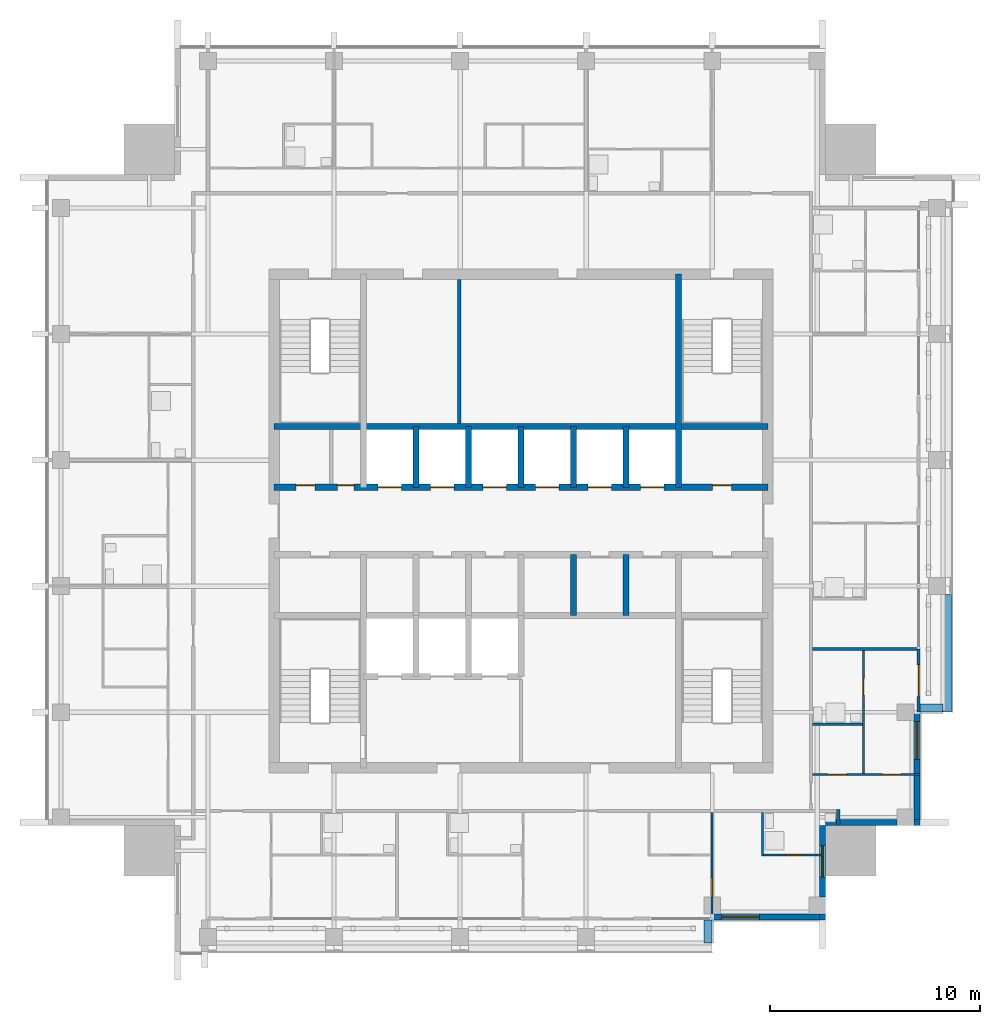
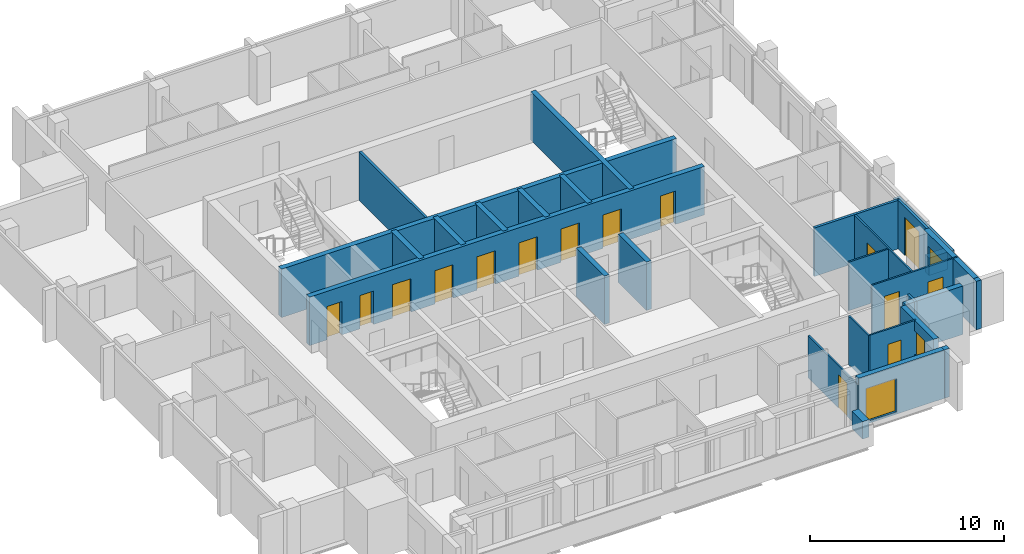
# One storey, part 9 of 15: 29 walls, 15 doors, 3 windows, 18 openings.
"""IFC4 building model written with IfcOpenShell, lengths in metres."""

from ifc_helpers import new_model, si_unit, direction, frame, frame_2d, origin, place, context, subcontext, project, spatial, rectangle, extrude, material, layer, layer_set, type_object, element, fill, save


model = new_model("IFC4")

# Units and contexts
model_context = context("Model", 3, precision=1e-05, world=origin(), true_north=direction((0.0, 1.0)))
body_context = subcontext(model_context, "Body", "Model", "MODEL_VIEW")
ifc_project = project(units=[si_unit("LENGTHUNIT", "METRE"), si_unit("AREAUNIT", "SQUARE_METRE"), si_unit("VOLUMEUNIT", "CUBIC_METRE"), si_unit("PLANEANGLEUNIT", "RADIAN"), si_unit("MASSUNIT", "GRAM", prefix="KILO")], contexts=[model_context])

# Site, building, storey
site_placement = place(None, origin())
site = spatial("IfcSite", under=ifc_project, at=site_placement, CompositionType="ELEMENT")
building_placement = place(site_placement, origin())
building = spatial("IfcBuilding", under=site, at=building_placement, Name="Amberfall Residences", CompositionType="ELEMENT")
storey_placement = place(building_placement, frame((0.0, 0.0, 268.60009765625)))
storey = spatial("IfcBuildingStorey", under=building, at=storey_placement, Name="L72", CompositionType="ELEMENT", Elevation=268.60009765625)

# Wall
ifc_material_1 = material(Name="Pale stone cladding on insulated backing", Category="masonry")
ifc_layer_1 = layer(ifc_material_1, 0.300048828125)
ifc_layer_set_1 = layer_set([ifc_layer_1], Name="Bronze clad wall 300")
wall_type_1 = type_object("IfcWallType", Name="Bronze clad wall 300", PredefinedType="SOLIDWALL", material=ifc_layer_set_1)
wall_1_placement = place(storey_placement, frame((88.85009765625, 26.5, 0.0), z_axis=(0.0, 0.0, 1.0), x_axis=(0.0, 1.0, 0.0)))
element("IfcWall", 1, at=wall_1_placement, inside=storey, type_object=wall_type_1, Name="External wall L72 SE", PredefinedType="SOLIDWALL", context=body_context, shape_type="SweptSolid", body=[
    extrude(rectangle(XDim=0.300048828125, YDim=0.300048828125, at=frame_2d((0.14990234375, 0.0))), origin(), (0.0, 0.0, 1.0), 3.0498046875),
])

# Wall, opening, window
wall_2_placement = place(storey_placement, frame((88.85009765625, 27.60009765625, 0.0), z_axis=(0.0, 0.0, 1.0), x_axis=(0.0, 1.0, 0.0)))
wall_2 = element("IfcWall", 2, at=wall_2_placement, inside=storey, type_object=wall_type_1, Name="External wall L72 SE", PredefinedType="SOLIDWALL", context=body_context, shape_type="SweptSolid", body=[
    extrude(rectangle(XDim=3.39990234375, YDim=0.300048828125, at=frame_2d((1.699951171875, 0.0))), origin(), (0.0, 0.0, 1.0), 3.0498046875),
])
opening_1_placement = place(wall_2_placement, frame((0.949951171875, 0.0, 0.89990234375)))
opening_1 = element("IfcOpeningElement", 3, at=opening_1_placement, cuts=wall_2, Name="Opening WN1", PredefinedType="OPENING", context=body_context, shape_type="SweptSolid", body=[
    extrude(rectangle(XDim=1.5, YDim=1.5, at=frame_2d((0.75, 0.75))), frame((0.0, 0.159912109375, 0.0), z_axis=(0.0, -1.0, 0.0), x_axis=(1.0, 0.0, 0.0)), (0.0, 0.0, 1.0), 0.320068359375),
])
ifc_material_2 = material(Name="Bronze aluminium framed glazing", Category="aluminium")
window_type_1 = type_object("IfcWindowType", Name="Window 1500 x 1500 bronze", PartitioningType="DOUBLE_PANEL_VERTICAL", PredefinedType="WINDOW", material=ifc_material_2)
window_1_placement = place(opening_1_placement, origin())
window_1 = element("IfcWindow", 4, at=window_1_placement, inside=storey, type_object=window_type_1, Name="Window L72 SE", OverallHeight=1.5, OverallWidth=1.5, PartitioningType="DOUBLE_PANEL_VERTICAL", PredefinedType="WINDOW", context=body_context, shape_type="SweptSolid", body=[
    extrude(rectangle(XDim=1.5, YDim=1.5, at=frame_2d((0.75, 0.75))), frame((0.0, 0.030029296875, 0.0), z_axis=(0.0, -1.0, 0.0), x_axis=(1.0, 0.0, 0.0)), (0.0, 0.0, 1.0), 0.06005859375),
])
fill(opening_1, window_1)

# Walls
wall_3_placement = place(storey_placement, frame((89.0, 31.14990234375, 0.0), z_axis=(0.0, 0.0, 1.0), x_axis=(1.0, 0.0, 0.0)))
element("IfcWall", 5, at=wall_3_placement, inside=storey, type_object=wall_type_1, Name="External wall L72 SE", PredefinedType="SOLIDWALL", context=body_context, shape_type="SweptSolid", body=[
    extrude(rectangle(XDim=3.39990234375, YDim=0.300048828125, at=frame_2d((1.699951171875, 0.0))), origin(), (0.0, 0.0, 1.0), 3.0498046875),
])
wall_4_placement = place(storey_placement, frame((93.199951171875, 31.14990234375, 0.0), z_axis=(0.0, 0.0, 1.0), x_axis=(1.0, 0.0, 0.0)))
element("IfcWall", 6, at=wall_4_placement, inside=storey, type_object=wall_type_1, Name="External wall L72 SE", PredefinedType="SOLIDWALL", context=body_context, shape_type="SweptSolid", body=[
    extrude(rectangle(XDim=0.300048828125, YDim=0.300048828125, at=frame_2d((0.14990234375, 0.0))), origin(), (0.0, 0.0, 1.0), 3.0498046875),
])

# Wall, opening, window
wall_5_placement = place(storey_placement, frame((83.60009765625, 26.64990234375, 0.0), z_axis=(0.0, 0.0, 1.0), x_axis=(1.0, 0.0, 0.0)))
wall_5 = element("IfcWall", 7, at=wall_5_placement, inside=storey, type_object=wall_type_1, Name="Stone wall L72 S", PredefinedType="SOLIDWALL", context=body_context, shape_type="SweptSolid", body=[
    extrude(rectangle(XDim=5.099853515625, YDim=0.300048828125, at=frame_2d((2.5498046875, 0.0))), origin(), (0.0, 0.0, 1.0), 3.0498046875),
])
opening_2_placement = place(wall_5_placement, frame((0.449951171875, 0.0, 0.14990234375)))
opening_2 = element("IfcOpeningElement", 8, at=opening_2_placement, cuts=wall_5, Name="Opening WN6", PredefinedType="OPENING", context=body_context, shape_type="SweptSolid", body=[
    extrude(rectangle(XDim=1.800048828125, YDim=2.10009765625, at=frame_2d((0.89990234375, 1.050048828125))), frame((0.0, 0.159912109375, 0.0), z_axis=(0.0, -1.0, 0.0), x_axis=(1.0, 0.0, 0.0)), (0.0, 0.0, 1.0), 0.320068359375),
])
window_type_2 = type_object("IfcWindowType", Name="Glazed opening 1800 x 2100 bronze", PartitioningType="DOUBLE_PANEL_VERTICAL", PredefinedType="WINDOW", material=ifc_material_2)
window_2_placement = place(opening_2_placement, origin())
window_2 = element("IfcWindow", 9, at=window_2_placement, inside=storey, type_object=window_type_2, Name="Window L72 S", OverallHeight=2.10009765625, OverallWidth=1.800048828125, PartitioningType="DOUBLE_PANEL_VERTICAL", PredefinedType="WINDOW", context=body_context, shape_type="SweptSolid", body=[
    extrude(rectangle(XDim=1.800048828125, YDim=2.10009765625, at=frame_2d((0.89990234375, 1.050048828125))), frame((0.0, 0.030029296875, 0.0), z_axis=(0.0, -1.0, 0.0), x_axis=(1.0, 0.0, 0.0)), (0.0, 0.0, 1.0), 0.06005859375),
])
fill(opening_2, window_2)

wall_6_placement = place(storey_placement, frame((93.35009765625, 31.300048828125, 0.0), z_axis=(0.0, 0.0, 1.0), x_axis=(0.0, 1.0, 0.0)))
wall_6 = element("IfcWall", 10, at=wall_6_placement, inside=storey, type_object=wall_type_1, Name="Stone wall L72 E", PredefinedType="SOLIDWALL", context=body_context, shape_type="SweptSolid", body=[
    extrude(rectangle(XDim=5.099853515625, YDim=0.300048828125, at=frame_2d((2.5498046875, 0.0))), origin(), (0.0, 0.0, 1.0), 3.0498046875),
])
opening_3_placement = place(wall_6_placement, frame((2.85009765625, 0.0, 0.14990234375)))
opening_3 = element("IfcOpeningElement", 11, at=opening_3_placement, cuts=wall_6, Name="Opening WN6", PredefinedType="OPENING", context=body_context, shape_type="SweptSolid", body=[
    extrude(rectangle(XDim=1.800048828125, YDim=2.10009765625, at=frame_2d((0.89990234375, 1.050048828125))), frame((0.0, 0.159912109375, 0.0), z_axis=(0.0, -1.0, 0.0), x_axis=(1.0, 0.0, 0.0)), (0.0, 0.0, 1.0), 0.320068359375),
])
window_3_placement = place(opening_3_placement, origin())
window_3 = element("IfcWindow", 12, at=window_3_placement, inside=storey, type_object=window_type_2, Name="Window L72 E", OverallHeight=2.10009765625, OverallWidth=1.800048828125, PartitioningType="DOUBLE_PANEL_VERTICAL", PredefinedType="WINDOW", context=body_context, shape_type="SweptSolid", body=[
    extrude(rectangle(XDim=1.800048828125, YDim=2.10009765625, at=frame_2d((0.89990234375, 1.050048828125))), frame((0.0, 0.030029296875, 0.0), z_axis=(0.0, -1.0, 0.0), x_axis=(1.0, 0.0, 0.0)), (0.0, 0.0, 1.0), 0.06005859375),
])
fill(opening_3, window_3)

# Wall, openings, doors
ifc_material_3 = material(Name="Concrete C50", Category="concrete")
ifc_layer_2 = layer(ifc_material_3, 0.300048828125)
ifc_layer_set_2 = layer_set([ifc_layer_2], Name="Core wall 300 C50")
wall_type_2 = type_object("IfcWallType", Name="Core wall 300 C50", PredefinedType="SHEAR", material=ifc_layer_set_2)
wall_7_placement = place(storey_placement, frame((62.75, 47.10009765625, 0.0), z_axis=(0.0, 0.0, 1.0), x_axis=(1.0, 0.0, 0.0)))
wall_7 = element("IfcWall", 13, at=wall_7_placement, inside=storey, type_object=wall_type_2, Name="Core wall RW10 L72 H136", PredefinedType="SHEAR", context=body_context, shape_type="SweptSolid", body=[
    extrude(rectangle(XDim=23.5, YDim=0.300048828125, at=frame_2d((11.75, 0.0))), origin(), (0.0, 0.0, 1.0), 3.0498046875),
])
opening_4_placement = place(wall_7_placement, frame((1.031982421875, 0.0, 0.0)))
opening_4 = element("IfcOpeningElement", 14, at=opening_4_placement, cuts=wall_7, Name="Opening RD1", PredefinedType="OPENING", context=body_context, shape_type="SweptSolid", body=[
    extrude(rectangle(XDim=0.89990234375, YDim=2.10009765625, at=frame_2d((0.449951171875, 1.050048828125))), frame((0.0, 0.159912109375, 0.0), z_axis=(0.0, -1.0, 0.0), x_axis=(1.0, 0.0, 0.0)), (0.0, 0.0, 1.0), 0.320068359375),
])
opening_5_placement = place(wall_7_placement, frame((3.007080078125, 0.0, 0.0)))
opening_5 = element("IfcOpeningElement", 15, at=opening_5_placement, cuts=wall_7, Name="Opening RD2", PredefinedType="OPENING", context=body_context, shape_type="SweptSolid", body=[
    extrude(rectangle(XDim=0.800048828125, YDim=2.10009765625, at=frame_2d((0.39990234375, 1.050048828125))), frame((0.0, 0.159912109375, 0.0), z_axis=(0.0, -1.0, 0.0), x_axis=(1.0, 0.0, 0.0)), (0.0, 0.0, 1.0), 0.320068359375),
])
opening_6_placement = place(wall_7_placement, frame((20.875, 0.0, 0.0)))
opening_6 = element("IfcOpeningElement", 16, at=opening_6_placement, cuts=wall_7, Name="Opening RD1", PredefinedType="OPENING", context=body_context, shape_type="SweptSolid", body=[
    extrude(rectangle(XDim=0.89990234375, YDim=2.10009765625, at=frame_2d((0.449951171875, 1.050048828125))), frame((0.0, 0.159912109375, 0.0), z_axis=(0.0, -1.0, 0.0), x_axis=(1.0, 0.0, 0.0)), (0.0, 0.0, 1.0), 0.320068359375),
])
opening_7_placement = place(wall_7_placement, frame((4.949951171875, 0.0, 0.0)))
opening_7 = element("IfcOpeningElement", 17, at=opening_7_placement, cuts=wall_7, Name="Opening LD1", PredefinedType="OPENING", context=body_context, shape_type="SweptSolid", body=[
    extrude(rectangle(XDim=1.10009765625, YDim=2.10009765625, at=frame_2d((0.550048828125, 1.050048828125))), frame((0.0, 0.159912109375, 0.0), z_axis=(0.0, -1.0, 0.0), x_axis=(1.0, 0.0, 0.0)), (0.0, 0.0, 1.0), 0.320068359375),
])
opening_8_placement = place(wall_7_placement, frame((7.449951171875, 0.0, 0.0)))
opening_8 = element("IfcOpeningElement", 18, at=opening_8_placement, cuts=wall_7, Name="Opening LD1", PredefinedType="OPENING", context=body_context, shape_type="SweptSolid", body=[
    extrude(rectangle(XDim=1.10009765625, YDim=2.10009765625, at=frame_2d((0.550048828125, 1.050048828125))), frame((0.0, 0.159912109375, 0.0), z_axis=(0.0, -1.0, 0.0), x_axis=(1.0, 0.0, 0.0)), (0.0, 0.0, 1.0), 0.320068359375),
])
opening_9_placement = place(wall_7_placement, frame((9.949951171875, 0.0, 0.0)))
opening_9 = element("IfcOpeningElement", 19, at=opening_9_placement, cuts=wall_7, Name="Opening LD1", PredefinedType="OPENING", context=body_context, shape_type="SweptSolid", body=[
    extrude(rectangle(XDim=1.10009765625, YDim=2.10009765625, at=frame_2d((0.550048828125, 1.050048828125))), frame((0.0, 0.159912109375, 0.0), z_axis=(0.0, -1.0, 0.0), x_axis=(1.0, 0.0, 0.0)), (0.0, 0.0, 1.0), 0.320068359375),
])
opening_10_placement = place(wall_7_placement, frame((12.449951171875, 0.0, 0.0)))
opening_10 = element("IfcOpeningElement", 20, at=opening_10_placement, cuts=wall_7, Name="Opening LD1", PredefinedType="OPENING", context=body_context, shape_type="SweptSolid", body=[
    extrude(rectangle(XDim=1.10009765625, YDim=2.10009765625, at=frame_2d((0.550048828125, 1.050048828125))), frame((0.0, 0.159912109375, 0.0), z_axis=(0.0, -1.0, 0.0), x_axis=(1.0, 0.0, 0.0)), (0.0, 0.0, 1.0), 0.320068359375),
])
opening_11_placement = place(wall_7_placement, frame((14.949951171875, 0.0, 0.0)))
opening_11 = element("IfcOpeningElement", 21, at=opening_11_placement, cuts=wall_7, Name="Opening LD1", PredefinedType="OPENING", context=body_context, shape_type="SweptSolid", body=[
    extrude(rectangle(XDim=1.10009765625, YDim=2.10009765625, at=frame_2d((0.550048828125, 1.050048828125))), frame((0.0, 0.159912109375, 0.0), z_axis=(0.0, -1.0, 0.0), x_axis=(1.0, 0.0, 0.0)), (0.0, 0.0, 1.0), 0.320068359375),
])
opening_12_placement = place(wall_7_placement, frame((17.449951171875, 0.0, 0.0)))
opening_12 = element("IfcOpeningElement", 22, at=opening_12_placement, cuts=wall_7, Name="Opening LD1", PredefinedType="OPENING", context=body_context, shape_type="SweptSolid", body=[
    extrude(rectangle(XDim=1.10009765625, YDim=2.10009765625, at=frame_2d((0.550048828125, 1.050048828125))), frame((0.0, 0.159912109375, 0.0), z_axis=(0.0, -1.0, 0.0), x_axis=(1.0, 0.0, 0.0)), (0.0, 0.0, 1.0), 0.320068359375),
])
ifc_material_4 = material(Name="Steel fire door set", Category="steel")
door_type_1 = type_object("IfcDoorType", Name="Lift landing door 1100 x 2100", OperationType="DOUBLE_DOOR_SLIDING", PredefinedType="DOOR", material=ifc_material_4)
door_1_placement = place(opening_7_placement, origin())
door_1 = element("IfcDoor", 23, at=door_1_placement, inside=storey, type_object=door_type_1, Name="Landing door HP1 L72", OperationType="DOUBLE_DOOR_SLIDING", OverallHeight=2.10009765625, OverallWidth=1.10009765625, PredefinedType="DOOR", context=body_context, shape_type="SweptSolid", body=[
    extrude(rectangle(XDim=1.10009765625, YDim=2.10009765625, at=frame_2d((0.550048828125, 1.050048828125))), frame((0.0, 0.02490234375, 0.0), z_axis=(0.0, -1.0, 0.0), x_axis=(1.0, 0.0, 0.0)), (0.0, 0.0, 1.0), 0.050048828125),
])
fill(opening_7, door_1)
door_2_placement = place(opening_8_placement, origin())
door_2 = element("IfcDoor", 24, at=door_2_placement, inside=storey, type_object=door_type_1, Name="Landing door HP2 L72", OperationType="DOUBLE_DOOR_SLIDING", OverallHeight=2.10009765625, OverallWidth=1.10009765625, PredefinedType="DOOR", context=body_context, shape_type="SweptSolid", body=[
    extrude(rectangle(XDim=1.10009765625, YDim=2.10009765625, at=frame_2d((0.550048828125, 1.050048828125))), frame((0.0, 0.02490234375, 0.0), z_axis=(0.0, -1.0, 0.0), x_axis=(1.0, 0.0, 0.0)), (0.0, 0.0, 1.0), 0.050048828125),
])
fill(opening_8, door_2)
door_3_placement = place(opening_9_placement, origin())
door_3 = element("IfcDoor", 25, at=door_3_placement, inside=storey, type_object=door_type_1, Name="Landing door HP3 L72", OperationType="DOUBLE_DOOR_SLIDING", OverallHeight=2.10009765625, OverallWidth=1.10009765625, PredefinedType="DOOR", context=body_context, shape_type="SweptSolid", body=[
    extrude(rectangle(XDim=1.10009765625, YDim=2.10009765625, at=frame_2d((0.550048828125, 1.050048828125))), frame((0.0, 0.02490234375, 0.0), z_axis=(0.0, -1.0, 0.0), x_axis=(1.0, 0.0, 0.0)), (0.0, 0.0, 1.0), 0.050048828125),
])
fill(opening_9, door_3)
door_4_placement = place(opening_10_placement, origin())
door_4 = element("IfcDoor", 26, at=door_4_placement, inside=storey, type_object=door_type_1, Name="Landing door HP4 L72", OperationType="DOUBLE_DOOR_SLIDING", OverallHeight=2.10009765625, OverallWidth=1.10009765625, PredefinedType="DOOR", context=body_context, shape_type="SweptSolid", body=[
    extrude(rectangle(XDim=1.10009765625, YDim=2.10009765625, at=frame_2d((0.550048828125, 1.050048828125))), frame((0.0, 0.02490234375, 0.0), z_axis=(0.0, -1.0, 0.0), x_axis=(1.0, 0.0, 0.0)), (0.0, 0.0, 1.0), 0.050048828125),
])
fill(opening_10, door_4)
door_5_placement = place(opening_11_placement, origin())
door_5 = element("IfcDoor", 27, at=door_5_placement, inside=storey, type_object=door_type_1, Name="Landing door HP5 L72", OperationType="DOUBLE_DOOR_SLIDING", OverallHeight=2.10009765625, OverallWidth=1.10009765625, PredefinedType="DOOR", context=body_context, shape_type="SweptSolid", body=[
    extrude(rectangle(XDim=1.10009765625, YDim=2.10009765625, at=frame_2d((0.550048828125, 1.050048828125))), frame((0.0, 0.02490234375, 0.0), z_axis=(0.0, -1.0, 0.0), x_axis=(1.0, 0.0, 0.0)), (0.0, 0.0, 1.0), 0.050048828125),
])
fill(opening_11, door_5)
door_6_placement = place(opening_12_placement, origin())
door_6 = element("IfcDoor", 28, at=door_6_placement, inside=storey, type_object=door_type_1, Name="Landing door HP6 L72", OperationType="DOUBLE_DOOR_SLIDING", OverallHeight=2.10009765625, OverallWidth=1.10009765625, PredefinedType="DOOR", context=body_context, shape_type="SweptSolid", body=[
    extrude(rectangle(XDim=1.10009765625, YDim=2.10009765625, at=frame_2d((0.550048828125, 1.050048828125))), frame((0.0, 0.02490234375, 0.0), z_axis=(0.0, -1.0, 0.0), x_axis=(1.0, 0.0, 0.0)), (0.0, 0.0, 1.0), 0.050048828125),
])
fill(opening_12, door_6)
door_type_2 = type_object("IfcDoorType", Name="Service room door 800 x 2100", OperationType="SINGLE_SWING_LEFT", PredefinedType="DOOR", material=ifc_material_4)
door_7_placement = place(opening_5_placement, origin())
door_7 = element("IfcDoor", 29, at=door_7_placement, inside=storey, type_object=door_type_2, Name="RD2 L72", OperationType="SINGLE_SWING_RIGHT", OverallHeight=2.10009765625, OverallWidth=0.800048828125, PredefinedType="DOOR", context=body_context, shape_type="SweptSolid", body=[
    extrude(rectangle(XDim=0.800048828125, YDim=2.10009765625, at=frame_2d((0.39990234375, 1.050048828125))), frame((0.0, 0.1376953125, 0.0), z_axis=(0.0, -1.0, 0.0), x_axis=(1.0, 0.0, 0.0)), (0.0, 0.0, 1.0), 0.050048828125),
])
fill(opening_5, door_7)
door_type_3 = type_object("IfcDoorType", Name="Service room door 900 x 2100", OperationType="SINGLE_SWING_LEFT", PredefinedType="DOOR", material=ifc_material_4)
door_8_placement = place(opening_4_placement, origin())
door_8 = element("IfcDoor", 30, at=door_8_placement, inside=storey, type_object=door_type_3, Name="RD1 L72", OperationType="SINGLE_SWING_LEFT", OverallHeight=2.10009765625, OverallWidth=0.89990234375, PredefinedType="DOOR", context=body_context, shape_type="SweptSolid", body=[
    extrude(rectangle(XDim=0.89990234375, YDim=2.10009765625, at=frame_2d((0.449951171875, 1.050048828125))), frame((0.0, 0.1376953125, 0.0), z_axis=(0.0, -1.0, 0.0), x_axis=(1.0, 0.0, 0.0)), (0.0, 0.0, 1.0), 0.050048828125),
])
fill(opening_4, door_8)
door_9_placement = place(opening_6_placement, origin())
door_9 = element("IfcDoor", 31, at=door_9_placement, inside=storey, type_object=door_type_3, Name="RD1 L72", OperationType="SINGLE_SWING_LEFT", OverallHeight=2.10009765625, OverallWidth=0.89990234375, PredefinedType="DOOR", context=body_context, shape_type="SweptSolid", body=[
    extrude(rectangle(XDim=0.89990234375, YDim=2.10009765625, at=frame_2d((0.449951171875, 1.050048828125))), frame((0.0, 0.1376953125, 0.0), z_axis=(0.0, -1.0, 0.0), x_axis=(1.0, 0.0, 0.0)), (0.0, 0.0, 1.0), 0.050048828125),
])
fill(opening_6, door_9)

# Walls
wall_8_placement = place(storey_placement, frame((62.75, 50.0, 0.0), z_axis=(0.0, 0.0, 1.0), x_axis=(1.0, 0.0, 0.0)))
element("IfcWall", 32, at=wall_8_placement, inside=storey, type_object=wall_type_2, Name="Core wall RW10 L72 H165", PredefinedType="SHEAR", context=body_context, shape_type="SweptSolid", body=[
    extrude(rectangle(XDim=23.5, YDim=0.300048828125, at=frame_2d((11.75, 0.0))), origin(), (0.0, 0.0, 1.0), 3.0498046875),
])
wall_9_placement = place(storey_placement, frame((82.0, 47.10009765625, 0.0), z_axis=(0.0, 0.0, 1.0), x_axis=(0.0, 1.0, 0.0)))
element("IfcWall", 33, at=wall_9_placement, inside=storey, type_object=wall_type_2, Name="Core wall RW10 L72 V195N", PredefinedType="SHEAR", context=body_context, shape_type="SweptSolid", body=[
    extrude(rectangle(XDim=10.14990234375, YDim=0.300048828125, at=frame_2d((5.074951171875, 0.0))), origin(), (0.0, 0.0, 1.0), 3.0498046875),
])
for number, where, z_axis, x_axis, name in (
    (34, (69.5, 47.10009765625, 0.0), (0.0, 0.0, 1.0), (0.0, 1.0, 0.0), "Core wall RW10 L72 HPD1"),
    (35, (72.0, 47.10009765625, 0.0), (0.0, 0.0, 1.0), (0.0, 1.0, 0.0), "Core wall RW10 L72 HPD2"),
    (36, (74.5, 47.10009765625, 0.0), (0.0, 0.0, 1.0), (0.0, 1.0, 0.0), "Core wall RW10 L72 HPD3"),
    (37, (77.0, 41.0, 0.0), (0.0, 0.0, 1.0), (0.0, 1.0, 0.0), "Core wall RW10 L72 LPD4"),
    (38, (77.0, 47.10009765625, 0.0), (0.0, 0.0, 1.0), (0.0, 1.0, 0.0), "Core wall RW10 L72 HPD4"),
    (39, (79.5, 41.0, 0.0), (0.0, 0.0, 1.0), (0.0, 1.0, 0.0), "Core wall RW10 L72 LPD5"),
    (40, (79.5, 47.10009765625, 0.0), (0.0, 0.0, 1.0), (0.0, 1.0, 0.0), "Core wall RW10 L72 HPD5"),
):
    element("IfcWall", number, at=place(storey_placement, frame(where, z_axis=z_axis, x_axis=x_axis)), inside=storey, type_object=wall_type_2, Name=name, PredefinedType="SHEAR", context=body_context, shape_type="SweptSolid", body=[
        extrude(rectangle(XDim=2.89990234375, YDim=0.300048828125, at=frame_2d((1.449951171875, 0.0))), origin(), (0.0, 0.0, 1.0), 3.0498046875),
    ])

# Wall, opening, door
ifc_material_5 = material(Name="Gypsum board on metal stud")
ifc_layer_3 = layer(ifc_material_5, 0.10009765625)
ifc_layer_set_3 = layer_set([ifc_layer_3], Name="Flat partition 100")
wall_type_3 = type_object("IfcWallType", Name="Flat partition 100", PredefinedType="PARTITIONING", material=ifc_layer_set_3)
wall_10_placement = place(storey_placement, frame((83.60009765625, 31.625, 0.0), z_axis=(0.0, 0.0, 1.0), x_axis=(0.0, -1.0, 0.0)))
wall_10 = element("IfcWall", 41, at=wall_10_placement, inside=storey, type_object=wall_type_3, Name="Partition 015", PredefinedType="PARTITIONING", context=body_context, shape_type="SweptSolid", body=[
    extrude(rectangle(XDim=5.125, YDim=0.10009765625, at=frame_2d((2.5625, 0.0))), origin(), (0.0, 0.0, 1.0), 2.64697265625),
])
opening_13_placement = place(wall_10_placement, frame((3.125, 0.0, 0.0)))
opening_13 = element("IfcOpeningElement", 42, at=opening_13_placement, cuts=wall_10, Name="Opening D41", PredefinedType="OPENING", context=body_context, shape_type="SweptSolid", body=[
    extrude(rectangle(XDim=0.89990234375, YDim=2.10009765625, at=frame_2d((0.449951171875, 1.050048828125))), frame((0.0, 0.06005859375, 0.0), z_axis=(0.0, -1.0, 0.0), x_axis=(1.0, 0.0, 0.0)), (0.0, 0.0, 1.0), 0.1201171875),
])
ifc_material_6 = material(Name="Timber", Category="wood")
door_type_4 = type_object("IfcDoorType", Name="Internal door 900 x 2100", OperationType="SINGLE_SWING_LEFT", PredefinedType="DOOR", material=ifc_material_6)
door_10_placement = place(opening_13_placement, origin())
door_10 = element("IfcDoor", 43, at=door_10_placement, inside=storey, type_object=door_type_4, Name="Door 7202 bedroom2", OperationType="SINGLE_SWING_LEFT", OverallHeight=2.10009765625, OverallWidth=0.89990234375, PredefinedType="DOOR", context=body_context, shape_type="SweptSolid", body=[
    extrude(rectangle(XDim=0.89990234375, YDim=2.10009765625, at=frame_2d((0.449951171875, 1.050048828125))), frame((0.0, 0.02490234375, 0.0), z_axis=(0.0, -1.0, 0.0), x_axis=(1.0, 0.0, 0.0)), (0.0, 0.0, 1.0), 0.050048828125),
])
fill(opening_13, door_10)

# Wall
wall_11_placement = place(storey_placement, frame((86.0, 29.550048828125, 0.0), z_axis=(0.0, 0.0, 1.0), x_axis=(0.0, 1.0, 0.0)))
element("IfcWall", 44, at=wall_11_placement, inside=storey, type_object=wall_type_3, Name="Partition 017", PredefinedType="PARTITIONING", context=body_context, shape_type="SweptSolid", body=[
    extrude(rectangle(XDim=2.074951171875, YDim=0.10009765625, at=frame_2d((1.03759765625, 0.0))), origin(), (0.0, 0.0, 1.0), 3.0498046875),
])

# Wall, opening, door
wall_12_placement = place(storey_placement, frame((90.800048828125, 33.47509765625, 0.0), z_axis=(0.0, 0.0, 1.0), x_axis=(0.0, 1.0, 0.0)))
wall_12 = element("IfcWall", 45, at=wall_12_placement, inside=storey, type_object=wall_type_3, Name="Partition 018", PredefinedType="PARTITIONING", context=body_context, shape_type="SweptSolid", body=[
    extrude(rectangle(XDim=5.849853515625, YDim=0.10009765625, at=frame_2d((2.9248046875, 0.0))), origin(), (0.0, 0.0, 1.0), 3.0498046875),
])
opening_14_placement = place(wall_12_placement, frame((3.737548828125, 0.0, 0.0)))
opening_14 = element("IfcOpeningElement", 46, at=opening_14_placement, cuts=wall_12, Name="Opening D42", PredefinedType="OPENING", context=body_context, shape_type="SweptSolid", body=[
    extrude(rectangle(XDim=0.800048828125, YDim=2.10009765625, at=frame_2d((0.39990234375, 1.050048828125))), frame((0.0, 0.06005859375, 0.0), z_axis=(0.0, -1.0, 0.0), x_axis=(1.0, 0.0, 0.0)), (0.0, 0.0, 1.0), 0.1201171875),
])
door_type_5 = type_object("IfcDoorType", Name="Bathroom door 800 x 2100", OperationType="SINGLE_SWING_LEFT", PredefinedType="DOOR", material=ifc_material_6)
door_11_placement = place(opening_14_placement, origin())
door_11 = element("IfcDoor", 47, at=door_11_placement, inside=storey, type_object=door_type_5, Name="Door 7203 bath1", OperationType="SINGLE_SWING_LEFT", OverallHeight=2.10009765625, OverallWidth=0.800048828125, PredefinedType="DOOR", context=body_context, shape_type="SweptSolid", body=[
    extrude(rectangle(XDim=0.800048828125, YDim=2.10009765625, at=frame_2d((0.39990234375, 1.050048828125))), frame((0.0, 0.02490234375, 0.0), z_axis=(0.0, -1.0, 0.0), x_axis=(1.0, 0.0, 0.0)), (0.0, 0.0, 1.0), 0.050048828125),
])
fill(opening_14, door_11)

# Wall
wall_13_placement = place(storey_placement, frame((88.375, 35.824951171875, 0.0), z_axis=(0.0, 0.0, 1.0), x_axis=(1.0, 0.0, 0.0)))
element("IfcWall", 48, at=wall_13_placement, inside=storey, type_object=wall_type_3, Name="Partition 035", PredefinedType="PARTITIONING", context=body_context, shape_type="SweptSolid", body=[
    extrude(rectangle(XDim=2.375, YDim=0.10009765625, at=frame_2d((1.1875, 0.0))), origin(), (0.0, 0.0, 1.0), 3.0498046875),
])

# Wall, openings, doors
wall_14_placement = place(storey_placement, frame((88.375, 33.425048828125, 0.0), z_axis=(0.0, 0.0, 1.0), x_axis=(1.0, 0.0, 0.0)))
wall_14 = element("IfcWall", 49, at=wall_14_placement, inside=storey, type_object=wall_type_3, Name="Partition 036", PredefinedType="PARTITIONING", context=body_context, shape_type="SweptSolid", body=[
    extrude(rectangle(XDim=5.125, YDim=0.10009765625, at=frame_2d((2.5625, 0.0))), origin(), (0.0, 0.0, 1.0), 3.0498046875),
])
opening_15_placement = place(wall_14_placement, frame((0.72509765625, 0.0, 0.0)))
opening_15 = element("IfcOpeningElement", 50, at=opening_15_placement, cuts=wall_14, Name="Opening D41", PredefinedType="OPENING", context=body_context, shape_type="SweptSolid", body=[
    extrude(rectangle(XDim=0.89990234375, YDim=2.10009765625, at=frame_2d((0.449951171875, 1.050048828125))), frame((0.0, 0.06005859375, 0.0), z_axis=(0.0, -1.0, 0.0), x_axis=(1.0, 0.0, 0.0)), (0.0, 0.0, 1.0), 0.1201171875),
])
opening_16_placement = place(wall_14_placement, frame((3.324951171875, 0.0, 0.0)))
opening_16 = element("IfcOpeningElement", 51, at=opening_16_placement, cuts=wall_14, Name="Opening D41", PredefinedType="OPENING", context=body_context, shape_type="SweptSolid", body=[
    extrude(rectangle(XDim=0.89990234375, YDim=2.10009765625, at=frame_2d((0.449951171875, 1.050048828125))), frame((0.0, 0.06005859375, 0.0), z_axis=(0.0, -1.0, 0.0), x_axis=(1.0, 0.0, 0.0)), (0.0, 0.0, 1.0), 0.1201171875),
])
door_12_placement = place(opening_15_placement, origin())
door_12 = element("IfcDoor", 52, at=door_12_placement, inside=storey, type_object=door_type_4, Name="Door 7203 kitchen", OperationType="SINGLE_SWING_LEFT", OverallHeight=2.10009765625, OverallWidth=0.89990234375, PredefinedType="DOOR", context=body_context, shape_type="SweptSolid", body=[
    extrude(rectangle(XDim=0.89990234375, YDim=2.10009765625, at=frame_2d((0.449951171875, 1.050048828125))), frame((0.0, 0.02490234375, 0.0), z_axis=(0.0, -1.0, 0.0), x_axis=(1.0, 0.0, 0.0)), (0.0, 0.0, 1.0), 0.050048828125),
])
fill(opening_15, door_12)
door_13_placement = place(opening_16_placement, origin())
door_13 = element("IfcDoor", 53, at=door_13_placement, inside=storey, type_object=door_type_4, Name="Door 7203 bedroom1", OperationType="SINGLE_SWING_LEFT", OverallHeight=2.10009765625, OverallWidth=0.89990234375, PredefinedType="DOOR", context=body_context, shape_type="SweptSolid", body=[
    extrude(rectangle(XDim=0.89990234375, YDim=2.10009765625, at=frame_2d((0.449951171875, 1.050048828125))), frame((0.0, 0.02490234375, 0.0), z_axis=(0.0, -1.0, 0.0), x_axis=(1.0, 0.0, 0.0)), (0.0, 0.0, 1.0), 0.050048828125),
])
fill(opening_16, door_13)

# Wall, opening, door
wall_15_placement = place(storey_placement, frame((86.050048828125, 29.60009765625, 0.0), z_axis=(0.0, 0.0, 1.0), x_axis=(1.0, 0.0, 0.0)))
wall_15 = element("IfcWall", 54, at=wall_15_placement, inside=storey, type_object=wall_type_3, Name="Partition 041", PredefinedType="PARTITIONING", context=body_context, shape_type="SweptSolid", body=[
    extrude(rectangle(XDim=2.75, YDim=0.10009765625, at=frame_2d((1.375, 0.0))), origin(), (0.0, 0.0, 1.0), 3.0498046875),
])
opening_17_placement = place(wall_15_placement, frame((1.050048828125, 0.0, 0.0)))
opening_17 = element("IfcOpeningElement", 55, at=opening_17_placement, cuts=wall_15, Name="Opening D42", PredefinedType="OPENING", context=body_context, shape_type="SweptSolid", body=[
    extrude(rectangle(XDim=0.800048828125, YDim=2.10009765625, at=frame_2d((0.39990234375, 1.050048828125))), frame((0.0, 0.06005859375, 0.0), z_axis=(0.0, -1.0, 0.0), x_axis=(1.0, 0.0, 0.0)), (0.0, 0.0, 1.0), 0.1201171875),
])
door_14_placement = place(opening_17_placement, origin())
door_14 = element("IfcDoor", 56, at=door_14_placement, inside=storey, type_object=door_type_5, Name="Door 7202 bath2", OperationType="SINGLE_SWING_LEFT", OverallHeight=2.10009765625, OverallWidth=0.800048828125, PredefinedType="DOOR", context=body_context, shape_type="SweptSolid", body=[
    extrude(rectangle(XDim=0.800048828125, YDim=2.10009765625, at=frame_2d((0.39990234375, 1.050048828125))), frame((0.0, 0.02490234375, 0.0), z_axis=(0.0, -1.0, 0.0), x_axis=(1.0, 0.0, 0.0)), (0.0, 0.0, 1.0), 0.050048828125),
])
fill(opening_17, door_14)

# Walls
ifc_material_7 = material(Name="Blockwork, plastered", Category="masonry")
ifc_layer_4 = layer(ifc_material_7, 0.14990234375)
ifc_layer_set_4 = layer_set([ifc_layer_4], Name="Flat separating wall 150")
wall_type_4 = type_object("IfcWallType", Name="Flat separating wall 150", PredefinedType="PARTITIONING", material=ifc_layer_set_4)
wall_16_placement = place(storey_placement, frame((89.60009765625, 31.0, 0.0), z_axis=(0.0, 0.0, 1.0), x_axis=(0.0, 1.0, 0.0)))
element("IfcWall", 57, at=wall_16_placement, inside=storey, type_object=wall_type_4, Name="Separating wall 047", PredefinedType="PARTITIONING", context=body_context, shape_type="SweptSolid", body=[
    extrude(rectangle(XDim=0.77490234375, YDim=0.14990234375, at=frame_2d((0.387451171875, 0.0))), origin(), (0.0, 0.0, 1.0), 3.0498046875),
])
wall_17_placement = place(storey_placement, frame((88.375, 39.39990234375, 0.0), z_axis=(0.0, 0.0, 1.0), x_axis=(1.0, 0.0, 0.0)))
element("IfcWall", 58, at=wall_17_placement, inside=storey, type_object=wall_type_4, Name="Separating wall 051", PredefinedType="PARTITIONING", context=body_context, shape_type="SweptSolid", body=[
    extrude(rectangle(XDim=5.125, YDim=0.14990234375, at=frame_2d((2.5625, 0.0))), origin(), (0.0, 0.0, 1.0), 3.0498046875),
])
ifc_material_8 = material(Name="Concrete blockwork", Category="masonry")
ifc_layer_5 = layer(ifc_material_8, 0.14990234375)
ifc_layer_set_5 = layer_set([ifc_layer_5], Name="Riser wall 150")
wall_type_5 = type_object("IfcWallType", Name="Riser wall 150", PredefinedType="PLUMBINGWALL", material=ifc_layer_set_5)
wall_18_placement = place(storey_placement, frame((71.56005859375, 50.14990234375, 0.0), z_axis=(0.0, 0.0, 1.0), x_axis=(0.0, 1.0, 0.0)))
element("IfcWall", 59, at=wall_18_placement, inside=storey, type_object=wall_type_5, Name="L72 core wall N0", PredefinedType="PLUMBINGWALL", context=body_context, shape_type="SweptSolid", body=[
    extrude(rectangle(XDim=6.85009765625, YDim=0.14990234375, at=frame_2d((3.425048828125, 0.0))), origin(), (0.0, 0.0, 1.0), 3.0498046875),
])

# Wall, opening, door
ifc_layer_6 = layer(ifc_material_1, 0.14990234375)
ifc_layer_set_6 = layer_set([ifc_layer_6], Name="Terrace door infill wall 150")
wall_type_6 = type_object("IfcWallType", Name="Terrace door infill wall 150", PredefinedType="SOLIDWALL", material=ifc_layer_set_6)
wall_19_placement = place(storey_placement, frame((93.425048828125, 36.39990234375, 0.0), z_axis=(0.0, 0.0, 1.0), x_axis=(0.0, 1.0, 0.0)))
wall_19 = element("IfcWall", 60, at=wall_19_placement, inside=storey, type_object=wall_type_6, Name="Terrace door wall L72 E2", PredefinedType="SOLIDWALL", context=body_context, shape_type="SweptSolid", body=[
    extrude(rectangle(XDim=3.0, YDim=0.14990234375, at=frame_2d((1.5, 0.0))), origin(), (0.0, 0.0, 1.0), 3.0498046875),
])
opening_18_placement = place(wall_19_placement, frame((0.75, 0.0, 0.0)))
opening_18 = element("IfcOpeningElement", 61, at=opening_18_placement, cuts=wall_19, Name="Opening TD2", PredefinedType="OPENING", context=body_context, shape_type="SweptSolid", body=[
    extrude(rectangle(XDim=1.5, YDim=2.39990234375, at=frame_2d((0.75, 1.199951171875))), frame((0.0, 0.0849609375, 0.0), z_axis=(0.0, -1.0, 0.0), x_axis=(1.0, 0.0, 0.0)), (0.0, 0.0, 1.0), 0.169921875),
])
ifc_material_9 = material(Name="Bronze aluminium framed glazed door", Category="aluminium")
door_type_6 = type_object("IfcDoorType", Name="Terrace sliding door 1500 x 2400", OperationType="DOUBLE_DOOR_SLIDING", PredefinedType="DOOR", material=ifc_material_9)
door_15_placement = place(opening_18_placement, origin())
door_15 = element("IfcDoor", 62, at=door_15_placement, inside=storey, type_object=door_type_6, Name="Terrace door TD2", OperationType="DOUBLE_DOOR_SLIDING", OverallHeight=2.39990234375, OverallWidth=1.5, PredefinedType="DOOR", context=body_context, shape_type="SweptSolid", body=[
    extrude(rectangle(XDim=1.5, YDim=2.39990234375, at=frame_2d((0.75, 1.199951171875))), frame((0.0, 0.02490234375, 0.0), z_axis=(0.0, -1.0, 0.0), x_axis=(1.0, 0.0, 0.0)), (0.0, 0.0, 1.0), 0.050048828125),
])
fill(opening_18, door_15)

# Walls
ifc_material_10 = material(Name="Pale stone faced Concrete C40", Category="masonry")
ifc_layer_7 = layer(ifc_material_10, 0.39990234375)
ifc_layer_set_7 = layer_set([ifc_layer_7], Name="Terrace parapet wall 400")
wall_type_7 = type_object("IfcWallType", Name="Terrace parapet wall 400", PredefinedType="PARAPET", material=ifc_layer_set_7)
wall_20_placement = place(storey_placement, frame((83.39990234375, 25.39990234375, 0.02978515625), z_axis=(0.0, 0.0, 1.0), x_axis=(0.0, 1.0, 0.0)))
element("IfcWall", 63, at=wall_20_placement, inside=storey, type_object=wall_type_7, Name="Terrace parapet L72 S4 return", PredefinedType="PARAPET", context=body_context, shape_type="SweptSolid", body=[
    extrude(rectangle(XDim=1.10009765625, YDim=0.39990234375, at=frame_2d((0.550048828125, 0.0))), origin(), (0.0, 0.0, 1.0), 1.10009765625),
])
wall_21_placement = place(storey_placement, frame((94.800048828125, 36.39990234375, 0.02978515625), z_axis=(0.0, 0.0, 1.0), x_axis=(0.0, 1.0, 0.0)))
element("IfcWall", 64, at=wall_21_placement, inside=storey, type_object=wall_type_7, Name="Terrace parapet L72 E2", PredefinedType="PARAPET", context=body_context, shape_type="SweptSolid", body=[
    extrude(rectangle(XDim=5.60009765625, YDim=0.39990234375, at=frame_2d((2.800048828125, 0.0))), origin(), (0.0, 0.0, 1.0), 1.10009765625),
])
wall_22_placement = place(storey_placement, frame((93.5, 36.60009765625, 0.02978515625), z_axis=(0.0, 0.0, 1.0), x_axis=(1.0, 0.0, 0.0)))
element("IfcWall", 65, at=wall_22_placement, inside=storey, type_object=wall_type_7, Name="Terrace parapet L72 E2 return", PredefinedType="PARAPET", context=body_context, shape_type="SweptSolid", body=[
    extrude(rectangle(XDim=1.10009765625, YDim=0.39990234375, at=frame_2d((0.550048828125, 0.0))), origin(), (0.0, 0.0, 1.0), 1.10009765625),
])

save(model, "model.ifc")
